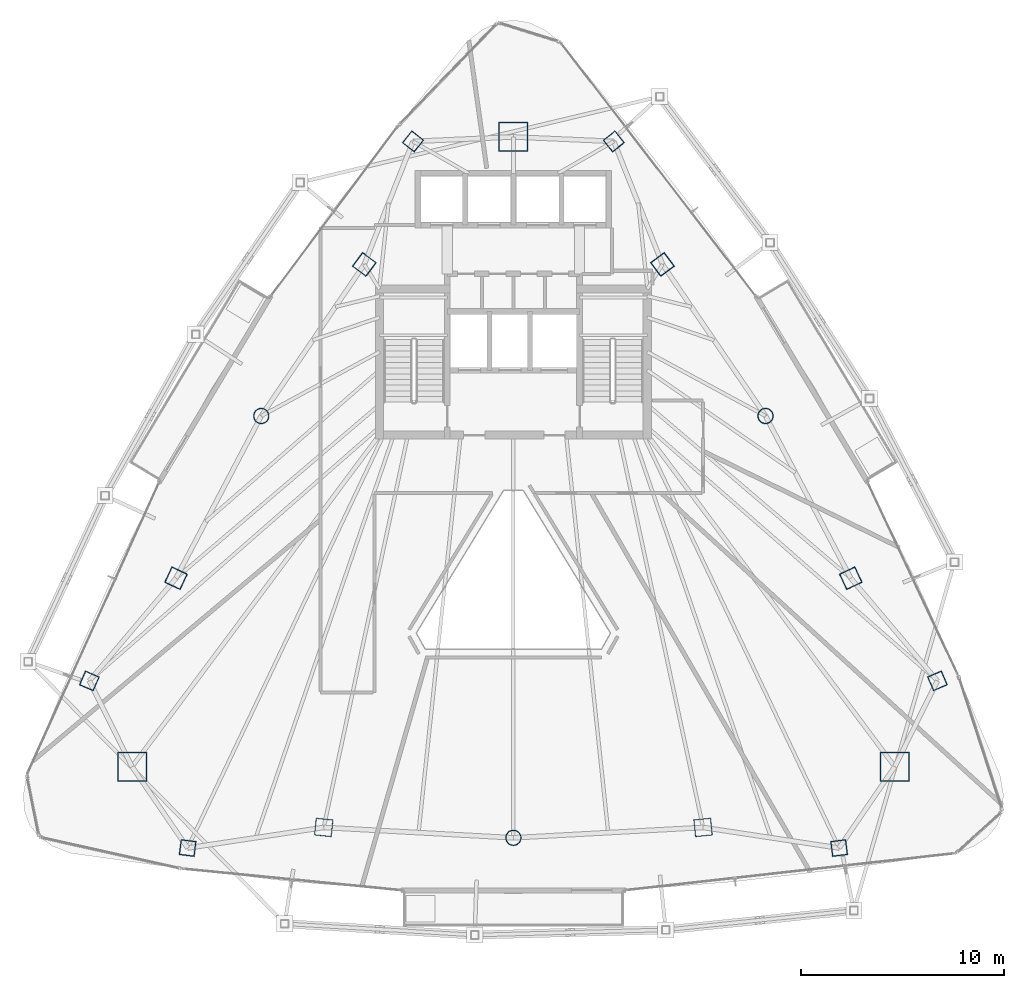
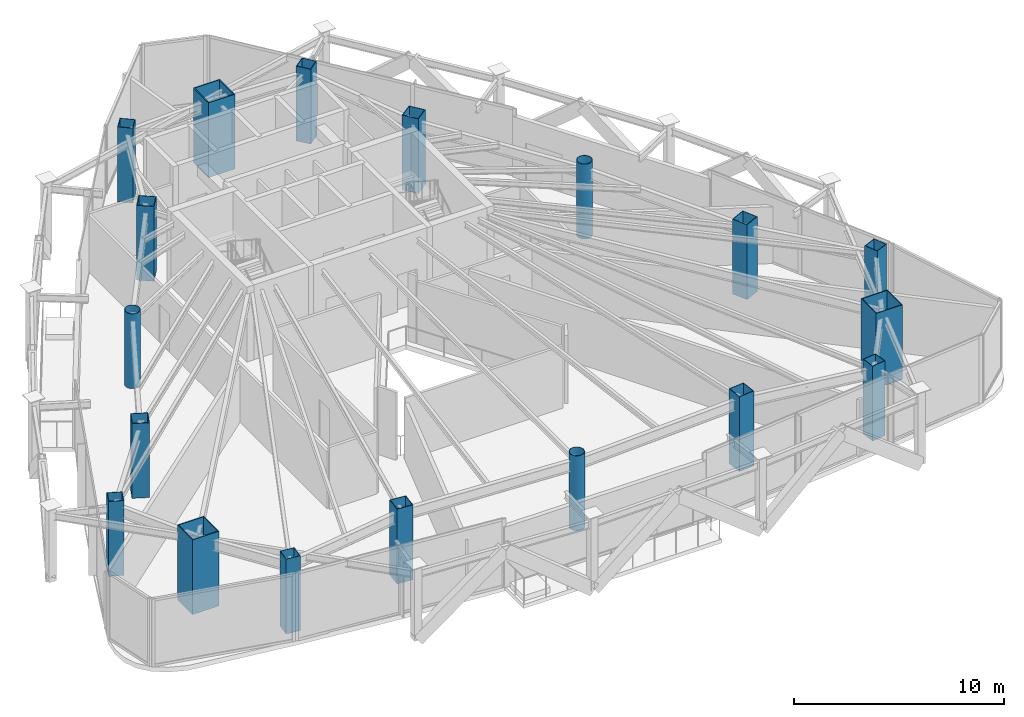
# One storey, part 1 of 27: 18 columns.
"""IFC4 building model written with IfcOpenShell, lengths in metres."""

from ifc_helpers import new_model, si_unit, direction, frame, origin, origin_2d, place, context, subcontext, project, spatial, hollow_rectangle, hollow_circle, extrude, material, material_profile, profile_set, type_object, element, save


model = new_model("IFC4")

# Units and contexts
model_context = context("Model", 3, precision=1e-05, world=origin(), true_north=direction((0.0, 1.0)))
body_context = subcontext(model_context, "Body", "Model", "MODEL_VIEW")
ifc_project = project(units=[si_unit("LENGTHUNIT", "METRE"), si_unit("AREAUNIT", "SQUARE_METRE"), si_unit("VOLUMEUNIT", "CUBIC_METRE"), si_unit("PLANEANGLEUNIT", "RADIAN"), si_unit("MASSUNIT", "GRAM", prefix="KILO")], contexts=[model_context])

# Site, building, storey
site_placement = place(None, origin())
site = spatial("IfcSite", under=ifc_project, at=site_placement, CompositionType="ELEMENT")
building_placement = place(site_placement, origin())
building = spatial("IfcBuilding", under=site, at=building_placement, Name="Orvanel Arch Residences", CompositionType="ELEMENT")
storey_placement = place(building_placement, frame((0.0, 0.0, 186.949951171875)))
storey = spatial("IfcBuildingStorey", under=building, at=storey_placement, Name="L53", CompositionType="ELEMENT", Elevation=186.949951171875)

# Columns
ifc_material_1 = material(Name="Structural steel AS/NZS 1163 C450L0 (Grade 450)", Category="steel")
ifc_material_profile_1 = material_profile(ifc_material_1, hollow_circle(Radius=0.381103515625, WallThickness=0.02197265625, at=origin_2d()), Name="CHS762x22")
ifc_profile_set_1 = profile_set([ifc_material_profile_1], Name="Structural steel AS/NZS 1163 C450L0 (Grade 450)")
column_type_1 = type_object("IfcColumnType", Name="CC-762", PredefinedType="COLUMN", material=ifc_profile_set_1)
for number, where, z_axis, x_axis, name in (
    (1, (20.569091796875, 27.64111328125, 0.0), (0.0, 0.0, 1.0), (1.0, 0.0, 0.0), "L53 High-Rise Tube Column 02"),
    (2, (33.0, 6.843994140625, 0.0), (0.0, 0.0, 1.0), (1.0, 0.0, 0.0), "L53 High-Rise Tube Column 05"),
    (3, (45.430908203125, 27.64111328125, 0.0), (0.0, 0.0, 1.0), (1.0, 0.0, 0.0), "L53 High-Rise Tube Column 08"),
):
    element("IfcColumn", number, at=place(storey_placement, frame(where, z_axis=z_axis, x_axis=x_axis)), inside=storey, type_object=column_type_1, Name=name, PredefinedType="COLUMN", context=body_context, shape_type="SweptSolid", body=[
        extrude(hollow_circle(Radius=0.381103515625, WallThickness=0.02197265625, at=origin_2d()), origin(), (0.0, 0.0, 1.0), 4.35009765625),
    ])
ifc_material_2 = material(Name="Structural steel AS/NZS 3678 Grade 450", Category="steel")
ifc_material_profile_2 = material_profile(ifc_material_2, hollow_rectangle(XDim=1.449951171875, YDim=1.449951171875, WallThickness=0.044921875, at=origin_2d()), Name="BOX1450x1450x45")
ifc_profile_set_2 = profile_set([ifc_material_profile_2], Name="Structural steel AS/NZS 3678 Grade 450")
column_type_2 = type_object("IfcColumnType", Name="MC-1450", PredefinedType="COLUMN", material=ifc_profile_set_2)
for number, where, z_axis, x_axis, name in (
    (4, (33.0, 41.39794921875, 0.0), (0.0, 0.0, 1.0), (1.0, 0.0, 0.0), "L53 Corner Mega-Column 1"),
    (5, (14.198974609375, 10.35107421875, 0.0), (0.0, 0.0, 1.0), (1.0, 0.0, 0.0), "L53 Corner Mega-Column 2"),
    (6, (51.801025390625, 10.35107421875, 0.0), (0.0, 0.0, 1.0), (1.0, 0.0, 0.0), "L53 Corner Mega-Column 3"),
):
    element("IfcColumn", number, at=place(storey_placement, frame(where, z_axis=z_axis, x_axis=x_axis)), inside=storey, type_object=column_type_2, Name=name, PredefinedType="COLUMN", context=body_context, shape_type="SweptSolid", body=[
        extrude(hollow_rectangle(XDim=1.449951171875, YDim=1.449951171875, WallThickness=0.044921875, at=origin_2d()), origin(), (0.0, 0.0, 1.0), 4.35009765625),
    ])
ifc_material_3 = material(Name="Structural steel AS/NZS 3678 Grade 350", Category="steel")
ifc_material_profile_3 = material_profile(ifc_material_3, hollow_rectangle(XDim=0.75, YDim=0.75, WallThickness=0.02490234375, at=origin_2d()), Name="BOX750x750x25")
ifc_profile_set_3 = profile_set([ifc_material_profile_3], Name="Structural steel AS/NZS 3678 Grade 350")
column_type_3 = type_object("IfcColumnType", Name="TC-750", PredefinedType="COLUMN", material=ifc_profile_set_3)
for number, where, z_axis, x_axis, name in (
    (7, (28.050048828125, 41.177978515625, 0.0), (0.0, 0.0, 1.0), (0.623879596709, 0.781520472419, 0.0), "L53 Mid-Rise Buttress Tube Column 01"),
    (8, (12.094970703125, 14.580078125, 0.0), (0.0, 0.0, 1.0), (0.397147890635, 0.917754625684, 0.0), "L53 Mid-Rise Buttress Tube Column 02"),
    (9, (16.94091796875, 6.339111328125, 0.0), (0.0, 0.0, 1.0), (-0.99189444259, 0.127064608601, 0.0), "L53 Mid-Rise Buttress Tube Column 03"),
    (10, (49.05908203125, 6.339111328125, 0.0), (0.0, 0.0, 1.0), (0.99189444259, 0.127064608601, 0.0), "L53 Mid-Rise Buttress Tube Column 04"),
    (11, (53.905029296875, 14.580078125, 0.0), (0.0, 0.0, 1.0), (-0.397147890635, 0.917754625684, 0.0), "L53 Mid-Rise Buttress Tube Column 05"),
    (12, (37.949951171875, 41.177978515625, 0.0), (0.0, 0.0, 1.0), (-0.623879596709, 0.781520472419, 0.0), "L53 Mid-Rise Buttress Tube Column 06"),
):
    element("IfcColumn", number, at=place(storey_placement, frame(where, z_axis=z_axis, x_axis=x_axis)), inside=storey, type_object=column_type_3, Name=name, PredefinedType="COLUMN", context=body_context, shape_type="SweptSolid", body=[
        extrude(hollow_rectangle(XDim=0.75, YDim=0.75, WallThickness=0.02490234375, at=origin_2d()), origin(), (0.0, 0.0, 1.0), 4.35009765625),
    ])
ifc_material_profile_4 = material_profile(ifc_material_3, hollow_rectangle(XDim=0.85009765625, YDim=0.85009765625, WallThickness=0.028076171875, at=origin_2d()), Name="BOX850x850x28")
ifc_profile_set_4 = profile_set([ifc_material_profile_4], Name="Structural steel AS/NZS 3678 Grade 350")
column_type_4 = type_object("IfcColumnType", Name="TC-850", PredefinedType="COLUMN", material=ifc_profile_set_4)
for number, where, z_axis, x_axis, name in (
    (13, (25.64794921875, 35.113037109375, 0.0), (0.0, 0.0, 1.0), (0.600420225326, 0.799684658487, 0.0), "L53 High-Rise Tube Column 01"),
    (14, (16.366943359375, 19.64208984375, 0.0), (0.0, 0.0, 1.0), (0.422618261741, 0.906307787037, 0.0), "L53 High-Rise Tube Column 03"),
    (15, (23.64892578125, 7.35498046875, 0.0), (0.0, 0.0, 1.0), (-0.994880708829, 0.101056297183, 0.0), "L53 High-Rise Tube Column 04"),
    (16, (42.35107421875, 7.35498046875, 0.0), (0.0, 0.0, 1.0), (0.994880708829, 0.101056297183, 0.0), "L53 High-Rise Tube Column 06"),
    (17, (49.633056640625, 19.64208984375, 0.0), (0.0, 0.0, 1.0), (-0.422618261741, 0.906307787037, 0.0), "L53 High-Rise Tube Column 07"),
    (18, (40.35205078125, 35.113037109375, 0.0), (0.0, 0.0, 1.0), (-0.600420225326, 0.799684658487, 0.0), "L53 High-Rise Tube Column 09"),
):
    element("IfcColumn", number, at=place(storey_placement, frame(where, z_axis=z_axis, x_axis=x_axis)), inside=storey, type_object=column_type_4, Name=name, PredefinedType="COLUMN", context=body_context, shape_type="SweptSolid", body=[
        extrude(hollow_rectangle(XDim=0.85009765625, YDim=0.85009765625, WallThickness=0.028076171875, at=origin_2d()), origin(), (0.0, 0.0, 1.0), 4.35009765625),
    ])

save(model, "model.ifc")
